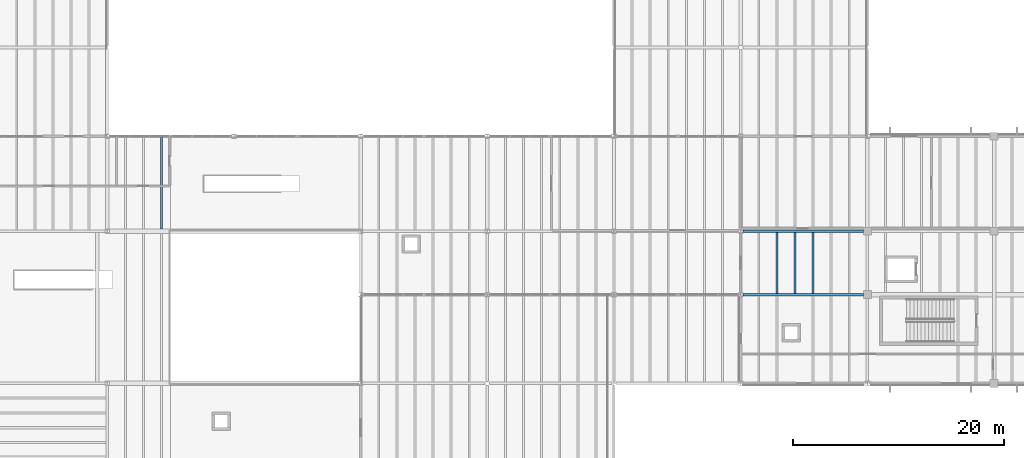
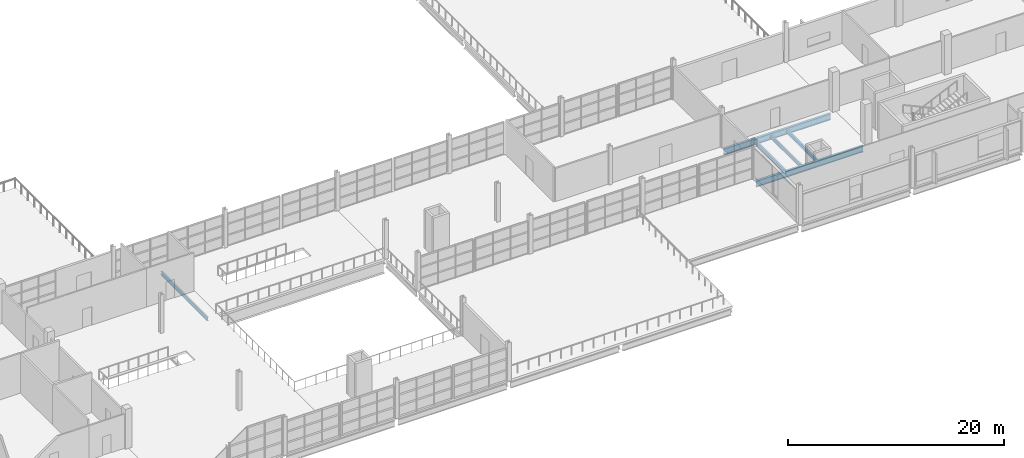
# One storey, part 25 of 78: 6 beams.
"""IFC4 building model written with IfcOpenShell, lengths in metres."""

from ifc_helpers import new_model, si_unit, direction, frame, origin, origin_2d, place, context, subcontext, project, spatial, i_section, extrude, material, material_profile, profile_set, type_object, element, save


model = new_model("IFC4")

# Units and contexts
model_context = context("Model", 3, precision=1e-05, world=origin(), true_north=direction((0.0, 1.0)))
body_context = subcontext(model_context, "Body", "Model", "MODEL_VIEW")
ifc_project = project(units=[si_unit("LENGTHUNIT", "METRE"), si_unit("AREAUNIT", "SQUARE_METRE"), si_unit("VOLUMEUNIT", "CUBIC_METRE"), si_unit("PLANEANGLEUNIT", "RADIAN"), si_unit("MASSUNIT", "GRAM", prefix="KILO")], contexts=[model_context])

# Site, building, storey
site_placement = place(None, origin())
site = spatial("IfcSite", under=ifc_project, at=site_placement, CompositionType="ELEMENT")
building_placement = place(site_placement, origin())
building = spatial("IfcBuilding", under=site, at=building_placement, Name="Kelmvaro Bay Concert Hall", CompositionType="ELEMENT")
storey_placement = place(building_placement, frame((0.0, 0.0, 9.300048828125)))
storey = spatial("IfcBuildingStorey", under=building, at=storey_placement, Name="L02", CompositionType="ELEMENT", Elevation=9.300048828125)

# Beams
ifc_material_1 = material(Name="Steel ASTM A992 Grade 50", Category="steel")
ifc_material_profile_1 = material_profile(ifc_material_1, i_section(OverallWidth=0.256103515625, OverallDepth=0.693115234375, WebThickness=0.014404296875, FlangeThickness=0.023681640625, at=origin_2d()), Name="W27X114")
ifc_profile_set_1 = profile_set([ifc_material_profile_1], Name="Steel ASTM A992 Grade 50")
beam_type_1 = type_object("IfcBeamType", Name="Foyer Primary Girder W27x114", PredefinedType="BEAM", material=ifc_profile_set_1)
for number, where, z_axis, x_axis, name in (
    (1, (120.200439453125, 24.0, -0.62646484375), (1.0, 0.0, 0.0), (0.0, 1.0, 0.0), "L02 Girder BM-L02-EW-0707"),
    (2, (120.200439453125, 30.0, -0.62646484375), (1.0, 0.0, 0.0), (0.0, 1.0, 0.0), "L02 Girder BM-L02-EW-0717"),
):
    element("IfcBeam", number, at=place(storey_placement, frame(where, z_axis=z_axis, x_axis=x_axis)), inside=storey, type_object=beam_type_1, Name=name, PredefinedType="BEAM", context=body_context, shape_type="SweptSolid", body=[
        extrude(i_section(OverallWidth=0.256103515625, OverallDepth=0.693115234375, WebThickness=0.014404296875, FlangeThickness=0.023681640625, at=origin_2d()), origin(), (0.0, 0.0, 1.0), 11.424560546875),
    ])
ifc_material_2 = material(Name="Steel ASTM A992 Grade 50", Category="steel")
ifc_material_profile_2 = material_profile(ifc_material_2, i_section(OverallWidth=0.179931640625, OverallDepth=0.4140625, WebThickness=0.009765625, FlangeThickness=0.01611328125, at=origin_2d()), Name="W16X50")
ifc_profile_set_2 = profile_set([ifc_material_profile_2], Name="Steel ASTM A992 Grade 50")
beam_type_2 = type_object("IfcBeamType", Name="Terrace Composite Joist W16x50", PredefinedType="JOIST", material=ifc_profile_set_2)
for number, where, z_axis, x_axis, name in (
    (3, (123.4287109375, 24.1279296875, -0.487060546875), (0.0, 1.0, 0.0), (-1.0, 0.0, 0.0), "L02 Floor Joist JST-L02-1005"),
    (4, (125.142822265625, 24.1279296875, -0.487060546875), (0.0, 1.0, 0.0), (-1.0, 0.0, 0.0), "L02 Floor Joist JST-L02-1006"),
    (5, (126.857177734375, 24.1279296875, -0.487060546875), (0.0, 1.0, 0.0), (-1.0, 0.0, 0.0), "L02 Floor Joist JST-L02-1007"),
):
    element("IfcBeam", number, at=place(storey_placement, frame(where, z_axis=z_axis, x_axis=x_axis)), inside=storey, type_object=beam_type_2, Name=name, PredefinedType="JOIST", context=body_context, shape_type="SweptSolid", body=[
        extrude(i_section(OverallWidth=0.179931640625, OverallDepth=0.4140625, WebThickness=0.009765625, FlangeThickness=0.01611328125, at=origin_2d()), origin(), (0.0, 0.0, 1.0), 5.744140625),
    ])
beam_placement = place(storey_placement, frame((65.142822265625, 30.22509765625, -0.45703125), z_axis=(0.0, 1.0, 0.0), x_axis=(-1.0, 0.0, 0.0)))
element("IfcBeam", 6, at=beam_placement, inside=storey, type_object=beam_type_2, Name="L02 Floor Joist JST-L02-1053", PredefinedType="JOIST", context=body_context, shape_type="SweptSolid", body=[
    extrude(i_section(OverallWidth=0.179931640625, OverallDepth=0.4140625, WebThickness=0.009765625, FlangeThickness=0.01611328125, at=origin_2d()), origin(), (0.0, 0.0, 1.0), 8.64697265625),
])

save(model, "model.ifc")
